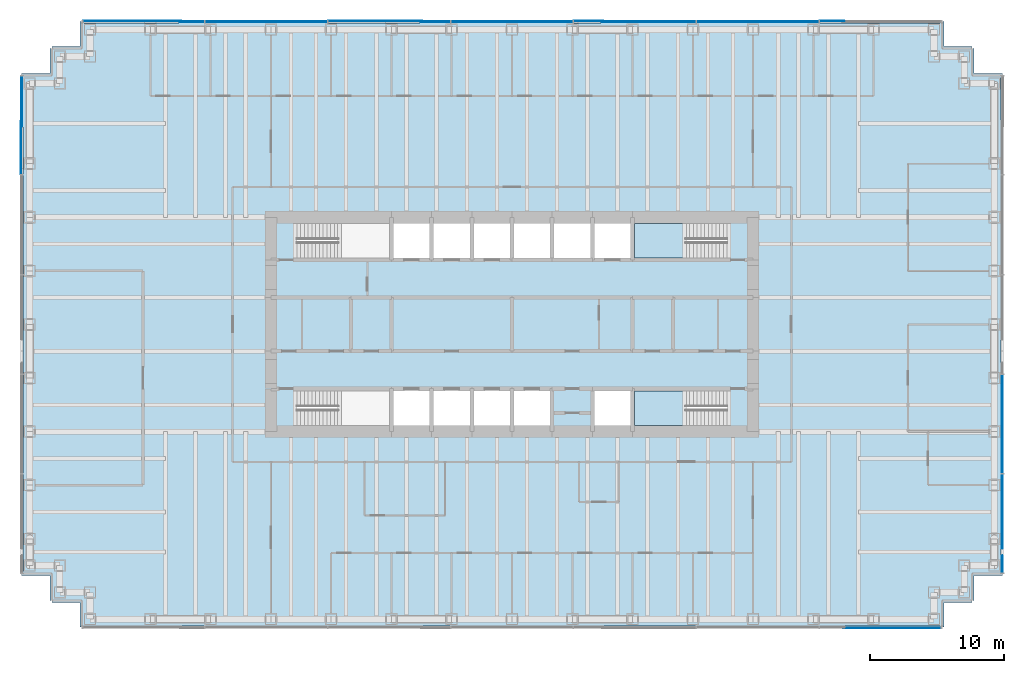
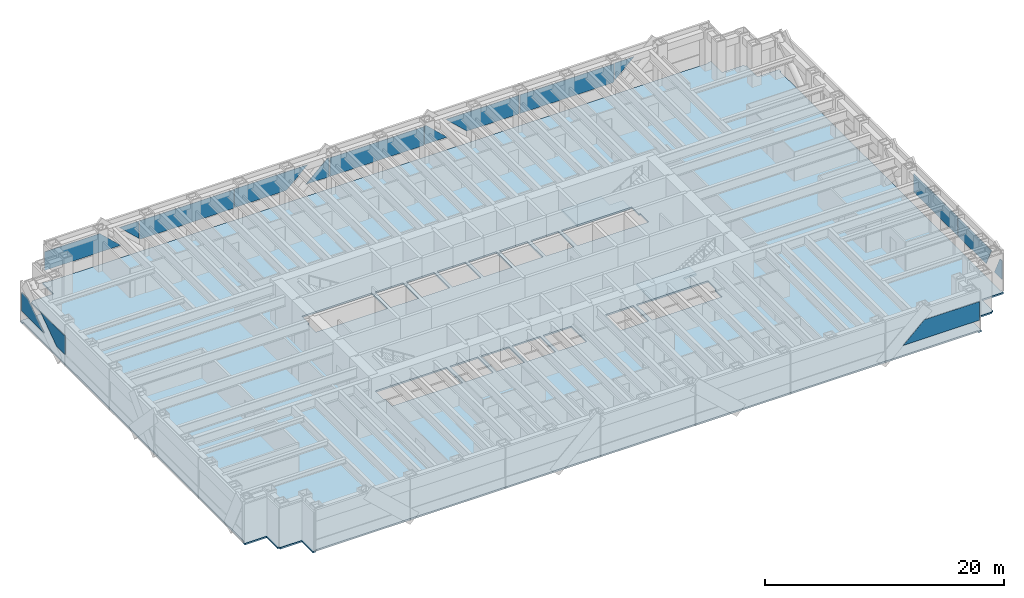
# One storey, part 9 of 16: 16 plates, 3 slabs, 6 elements without a shape of their own.
"""IFC4 building model written with IfcOpenShell, lengths in metres."""

from ifc_helpers import new_model, si_unit, direction, frame, origin, origin_2d, place, context, subcontext, project, spatial, polyline, rectangle, outline, extrude, material, layer, layer_set, type_object, element, aggregate, save


model = new_model("IFC4")

# Units and contexts
model_context = context("Model", 3, precision=1e-05, world=origin(), true_north=direction((0.0, 1.0)))
body_context = subcontext(model_context, "Body", "Model", "MODEL_VIEW")
ifc_project = project(units=[si_unit("LENGTHUNIT", "METRE"), si_unit("AREAUNIT", "SQUARE_METRE"), si_unit("VOLUMEUNIT", "CUBIC_METRE"), si_unit("PLANEANGLEUNIT", "RADIAN"), si_unit("MASSUNIT", "GRAM", prefix="KILO")], contexts=[model_context])

# Site, building, storey
site_placement = place(None, origin())
site = spatial("IfcSite", under=ifc_project, at=site_placement, CompositionType="ELEMENT")
building_placement = place(site_placement, origin())
building = spatial("IfcBuilding", under=site, at=building_placement, Name="Rheinbord Bourse Tower", CompositionType="ELEMENT")
storey_placement = place(building_placement, frame((0.0, 0.0, 176.10009765625)))
storey = spatial("IfcBuildingStorey", under=building, at=storey_placement, Name="L39", CompositionType="ELEMENT", Elevation=176.10009765625)

# Slab
ifc_material_1 = material(Name="Concrete C30/37", Category="concrete")
ifc_layer_1 = layer(ifc_material_1, 0.159912109375)
ifc_layer_set_1 = layer_set([ifc_layer_1], Name="COMPOSITE FLOOR SLAB 160")
slab_type_1 = type_object("IfcSlabType", Name="COMPOSITE FLOOR SLAB 160", PredefinedType="FLOOR", material=ifc_layer_set_1)
slab_1_placement = place(storey_placement, frame((0.0, 0.0, -0.16015625)))
element("IfcSlab", 1, at=slab_1_placement, inside=storey, type_object=slab_type_1, Name="Floor slab L39", PredefinedType="FLOOR", context=body_context, shape_type="SweptSolid", body=[
    extrude(outline(polyline([(1.64990234375, 3.39990234375), (1.5, 3.39990234375), (1.5, 5.25), (-0.60009765625, 5.25), (-0.60009765625, 5.550048828125), (-0.5, 5.550048828125), (-0.5, 42.449951171875), (-0.60009765625, 42.449951171875), (-0.60009765625, 42.75), (1.5, 42.75), (1.5, 44.60009765625), (1.64990234375, 44.60009765625), (1.64990234375, 44.75), (3.75, 44.75), (3.75, 46.60009765625), (4.050048828125, 46.60009765625), (4.050048828125, 46.5), (67.949951171875, 46.5), (67.949951171875, 46.60009765625), (68.25, 46.60009765625), (68.25, 44.75), (70.35009765625, 44.75), (70.35009765625, 44.60009765625), (70.5, 44.60009765625), (70.5, 42.75), (72.60009765625, 42.75), (72.60009765625, 42.449951171875), (72.5, 42.449951171875), (72.5, 5.550048828125), (72.60009765625, 5.550048828125), (72.60009765625, 5.25), (70.5, 5.25), (70.5, 3.39990234375), (70.35009765625, 3.39990234375), (70.35009765625, 3.25), (68.25, 3.25), (68.25, 1.39990234375), (67.949951171875, 1.39990234375), (67.949951171875, 1.5), (4.050048828125, 1.5), (4.050048828125, 1.39990234375), (3.75, 1.39990234375), (3.75, 3.25), (1.64990234375, 3.25), (1.64990234375, 3.39990234375)]), holes=[polyline([(19.949951171875, 19.050048828125), (26.85009765625, 19.050048828125), (26.85009765625, 16.449951171875), (20.10009765625, 16.449951171875), (20.10009765625, 17.64990234375), (19.949951171875, 17.64990234375), (19.949951171875, 19.050048828125)]), polyline([(26.85009765625, 31.550048828125), (26.85009765625, 28.949951171875), (19.949951171875, 28.949951171875), (19.949951171875, 30.35009765625), (20.10009765625, 30.35009765625), (20.10009765625, 31.550048828125), (26.85009765625, 31.550048828125)]), polyline([(45.14990234375, 16.449951171875), (45.14990234375, 19.050048828125), (52.050048828125, 19.050048828125), (52.050048828125, 17.64990234375), (51.89990234375, 17.64990234375), (51.89990234375, 16.449951171875), (45.14990234375, 16.449951171875)]), polyline([(52.050048828125, 28.949951171875), (45.14990234375, 28.949951171875), (45.14990234375, 31.550048828125), (51.89990234375, 31.550048828125), (51.89990234375, 30.35009765625), (52.050048828125, 30.35009765625), (52.050048828125, 28.949951171875)]), polyline([(27.14990234375, 16.449951171875), (27.14990234375, 19.050048828125), (29.85009765625, 19.050048828125), (29.85009765625, 16.449951171875), (27.14990234375, 16.449951171875)]), polyline([(27.14990234375, 28.949951171875), (27.14990234375, 31.550048828125), (29.85009765625, 31.550048828125), (29.85009765625, 28.949951171875), (27.14990234375, 28.949951171875)]), polyline([(30.14990234375, 16.449951171875), (30.14990234375, 19.050048828125), (32.85009765625, 19.050048828125), (32.85009765625, 16.449951171875), (30.14990234375, 16.449951171875)]), polyline([(30.14990234375, 28.949951171875), (30.14990234375, 31.550048828125), (32.85009765625, 31.550048828125), (32.85009765625, 28.949951171875), (30.14990234375, 28.949951171875)]), polyline([(33.14990234375, 16.449951171875), (33.14990234375, 19.050048828125), (35.85009765625, 19.050048828125), (35.85009765625, 16.449951171875), (33.14990234375, 16.449951171875)]), polyline([(33.14990234375, 28.949951171875), (33.14990234375, 31.550048828125), (35.85009765625, 31.550048828125), (35.85009765625, 28.949951171875), (33.14990234375, 28.949951171875)]), polyline([(36.14990234375, 16.449951171875), (36.14990234375, 19.050048828125), (38.85009765625, 19.050048828125), (38.85009765625, 16.449951171875), (36.14990234375, 16.449951171875)]), polyline([(36.14990234375, 28.949951171875), (36.14990234375, 31.550048828125), (38.85009765625, 31.550048828125), (38.85009765625, 28.949951171875), (36.14990234375, 28.949951171875)]), polyline([(39.14990234375, 28.949951171875), (39.14990234375, 31.550048828125), (41.85009765625, 31.550048828125), (41.85009765625, 28.949951171875), (39.14990234375, 28.949951171875)]), polyline([(42.14990234375, 16.449951171875), (42.14990234375, 19.050048828125), (44.85009765625, 19.050048828125), (44.85009765625, 16.449951171875), (42.14990234375, 16.449951171875)]), polyline([(42.14990234375, 28.949951171875), (42.14990234375, 31.550048828125), (44.85009765625, 31.550048828125), (44.85009765625, 28.949951171875), (42.14990234375, 28.949951171875)])]), origin(), (0.0, 0.0, 1.0), 0.16015625),
])

# Curtain wall, plate
ifc_material_2 = material(Name="Dark glass and black aluminium", Category="aluminium")
curtain_wall_type = type_object("IfcCurtainWallType", Name="CW5 DARK GLASS CURTAIN WALL", PredefinedType="USERDEFINED", material=ifc_material_2)
curtain_wall_1_placement = place(storey_placement, origin())
curtain_wall_1 = element("IfcCurtainWall", 2, at=curtain_wall_1_placement, inside=storey, type_object=curtain_wall_type, Name="Curtain wall CW5 S L39", ObjectType="UNITISED CURTAIN WALL", PredefinedType="USERDEFINED")
ifc_material_3 = material(Name="Dark tinted triple insulating glass", Category="glass")
ifc_layer_2 = layer(ifc_material_3, 0.050048828125)
ifc_layer_set_2 = layer_set([ifc_layer_2], Name="CW5 DARK GLASS PANEL")
plate_type = type_object("IfcPlateType", Name="CW5 DARK GLASS PANEL", PredefinedType="CURTAIN_PANEL", material=ifc_layer_set_2)
plate_1_placement = place(storey_placement, frame((68.02001953125, 1.31982421875, 3.0498046875), z_axis=(0.0, 1.0, 0.0), x_axis=(0.0, 0.0, -1.0)))
plate_1 = element("IfcPlate", 3, at=plate_1_placement, type_object=plate_type, Name="CW5 glass facet 2", PredefinedType="CURTAIN_PANEL", context=body_context, shape_type="SweptSolid", body=[
    extrude(outline(polyline([(0.0, 0.0), (1.89990234375, 0.0), (1.89990234375, 7.364990234375), (0.0, 5.330078125), (0.0, 0.0)])), origin(), (0.0, 0.0, 1.0), 0.050048828125),
])
aggregate(curtain_wall_1, [plate_1])

# Curtain wall, plates
curtain_wall_2_placement = place(storey_placement, origin())
curtain_wall_2 = element("IfcCurtainWall", 4, at=curtain_wall_2_placement, inside=storey, type_object=curtain_wall_type, Name="Curtain wall CW5 E L39", ObjectType="UNITISED CURTAIN WALL", PredefinedType="USERDEFINED")
plate_2_placement = place(storey_placement, frame((72.625, 5.47998046875, 1.14990234375), z_axis=(-1.0, 0.0, 0.0), x_axis=(0.0, 0.0, 1.0)))
plate_2 = element("IfcPlate", 5, at=plate_2_placement, type_object=plate_type, Name="CW5 glass facet 1", PredefinedType="CURTAIN_PANEL", context=body_context, shape_type="SweptSolid", body=[
    extrude(outline(polyline([(0.0, 0.0), (1.89990234375, 0.0), (1.89990234375, 0.3701171875), (0.0, 1.27490234375), (0.0, 0.0)])), origin(), (0.0, 0.0, 1.0), 0.050048828125),
])
plate_3_placement = place(storey_placement, frame((72.625, 12.800048828125, 3.0498046875), z_axis=(-1.0, 0.0, 0.0), x_axis=(0.0, 0.0, -1.0)))
plate_3 = element("IfcPlate", 6, at=plate_3_placement, type_object=plate_type, Name="CW5 glass facet 2", PredefinedType="CURTAIN_PANEL", context=body_context, shape_type="SweptSolid", body=[
    extrude(outline(polyline([(0.0, 0.0), (1.89990234375, 0.0), (1.89990234375, 4.650146484375), (0.0, 5.554931640625), (0.0, 0.0)])), origin(), (0.0, 0.0, 1.0), 0.050048828125),
])
plate_4_placement = place(storey_placement, frame((72.625, 12.8798828125, 1.14990234375), z_axis=(-1.0, 0.0, 0.0), x_axis=(0.0, 0.0, 1.0)))
plate_4 = element("IfcPlate", 7, at=plate_4_placement, type_object=plate_type, Name="CW5 glass facet 1", PredefinedType="CURTAIN_PANEL", context=body_context, shape_type="SweptSolid", body=[
    extrude(outline(polyline([(0.0, 0.0), (1.89990234375, 0.0), (1.89990234375, 7.34619140625), (1.885009765625, 7.360107421875), (0.014892578125, 7.360107421875), (0.0, 7.34619140625), (0.0, 0.0)])), origin(), (0.0, 0.0, 1.0), 0.050048828125),
])
aggregate(curtain_wall_2, [plate_2, plate_3, plate_4])

curtain_wall_3_placement = place(storey_placement, origin())
curtain_wall_3 = element("IfcCurtainWall", 8, at=curtain_wall_3_placement, inside=storey, type_object=curtain_wall_type, Name="Curtain wall CW5 N L39", ObjectType="UNITISED CURTAIN WALL", PredefinedType="USERDEFINED")
plate_5_placement = place(storey_placement, frame((36.0, 46.60009765625, 1.14990234375), z_axis=(0.0, 0.0, 1.0), x_axis=(-1.0, 0.0, 0.0)))
plate_5 = element("IfcPlate", 9, at=plate_5_placement, type_object=plate_type, Name="CW5 panel 4.1", PredefinedType="CURTAIN_PANEL", context=body_context, shape_type="SweptSolid", body=[
    extrude(rectangle(XDim=9.09130859375, YDim=0.050048828125, at=origin_2d()), origin(), (0.0, 0.0, 1.0), 1.89990234375),
])
plate_6_placement = place(storey_placement, frame((58.968994140625, 46.68017578125, 3.0498046875), z_axis=(0.0, -1.0, 0.0), x_axis=(0.0, 0.0, -1.0)))
plate_6 = element("IfcPlate", 10, at=plate_6_placement, type_object=plate_type, Name="CW5 glass facet 2", PredefinedType="CURTAIN_PANEL", context=body_context, shape_type="SweptSolid", body=[
    extrude(outline(polyline([(0.0, 0.0), (1.751953125, 0.0), (0.0, 1.8759765625), (0.0, 0.0)])), origin(), (0.0, 0.0, 1.0), 0.050048828125),
])
plate_7_placement = place(storey_placement, frame((58.888916015625, 46.625, 3.0498046875), z_axis=(0.0, -1.0, 0.0), x_axis=(-1.0, 0.0, 0.0)))
plate_7 = element("IfcPlate", 11, at=plate_7_placement, type_object=plate_type, Name="CW5 glass facet 1", PredefinedType="CURTAIN_PANEL", context=body_context, shape_type="SweptSolid", body=[
    extrude(outline(polyline([(0.0, 0.0), (9.091796875, 0.0), (9.091796875, 1.89990234375), (0.078857421875, 1.89990234375), (0.0, 1.825927734375), (0.0, 0.0)])), origin(), (0.0, 0.0, 1.0), 0.050048828125),
])
plate_8_placement = place(storey_placement, frame((49.717041015625, 46.625, 1.14990234375), z_axis=(0.0, -1.0, 0.0), x_axis=(0.0, 0.0, 1.0)))
plate_8 = element("IfcPlate", 12, at=plate_8_placement, type_object=plate_type, Name="CW5 glass facet 1", PredefinedType="CURTAIN_PANEL", context=body_context, shape_type="SweptSolid", body=[
    extrude(outline(polyline([(0.0, 0.0), (1.89990234375, 0.0), (1.89990234375, 7.06201171875), (0.0, 5.027099609375), (0.0, 0.0)])), origin(), (0.0, 0.0, 1.0), 0.050048828125),
])
plate_9_placement = place(storey_placement, frame((40.6259765625, 46.68017578125, 3.0498046875), z_axis=(0.0, -1.0, 0.0), x_axis=(0.0, 0.0, -1.0)))
plate_9 = element("IfcPlate", 13, at=plate_9_placement, type_object=plate_type, Name="CW5 glass facet 2", PredefinedType="CURTAIN_PANEL", context=body_context, shape_type="SweptSolid", body=[
    extrude(outline(polyline([(0.0, 0.0), (1.89990234375, 0.0), (1.89990234375, 2.218994140625), (0.0, 0.18408203125), (0.0, 0.0)])), origin(), (0.0, 0.0, 1.0), 0.050048828125),
])
plate_10_placement = place(storey_placement, frame((31.3740234375, 46.625, 1.14990234375), z_axis=(0.0, -1.0, 0.0), x_axis=(0.0, 0.0, 1.0)))
plate_10 = element("IfcPlate", 14, at=plate_10_placement, type_object=plate_type, Name="CW5 glass facet 1", PredefinedType="CURTAIN_PANEL", context=body_context, shape_type="SweptSolid", body=[
    extrude(outline(polyline([(0.0, 0.0), (1.89990234375, 0.0), (1.89990234375, 0.18408203125), (0.0, 2.218994140625), (0.0, 0.0)])), origin(), (0.0, 0.0, 1.0), 0.050048828125),
])
plate_11_placement = place(storey_placement, frame((22.282958984375, 46.68017578125, 3.0498046875), z_axis=(0.0, -1.0, 0.0), x_axis=(0.0, 0.0, -1.0)))
plate_11 = element("IfcPlate", 15, at=plate_11_placement, type_object=plate_type, Name="CW5 glass facet 2", PredefinedType="CURTAIN_PANEL", context=body_context, shape_type="SweptSolid", body=[
    extrude(outline(polyline([(0.0, 0.0), (1.89990234375, 0.0), (1.89990234375, 5.027099609375), (0.0, 7.06201171875), (0.0, 0.0)])), origin(), (0.0, 0.0, 1.0), 0.050048828125),
])
plate_12_placement = place(storey_placement, frame((22.202880859375, 46.625, 1.14990234375), z_axis=(0.0, -1.0, 0.0), x_axis=(0.0, 0.0, 1.0)))
plate_12 = element("IfcPlate", 16, at=plate_12_placement, type_object=plate_type, Name="CW5 glass facet 1", PredefinedType="CURTAIN_PANEL", context=body_context, shape_type="SweptSolid", body=[
    extrude(outline(polyline([(0.0, 0.0), (1.89990234375, 0.0), (1.89990234375, 9.091796875), (0.073974609375, 9.091796875), (0.0, 9.012939453125), (0.0, 0.0)])), origin(), (0.0, 0.0, 1.0), 0.050048828125),
])
plate_13_placement = place(storey_placement, frame((13.031005859375, 46.625, 3.0498046875), z_axis=(0.0, -1.0, 0.0), x_axis=(-1.0, 0.0, 0.0)))
plate_13 = element("IfcPlate", 17, at=plate_13_placement, type_object=plate_type, Name="CW5 glass facet 1", PredefinedType="CURTAIN_PANEL", context=body_context, shape_type="SweptSolid", body=[
    extrude(outline(polyline([(0.0, 0.0), (1.8759765625, 0.0), (0.0, 1.751953125), (0.0, 0.0)])), origin(), (0.0, 0.0, 1.0), 0.050048828125),
])
plate_14_placement = place(storey_placement, frame((3.97998046875, 46.68017578125, 3.0498046875), z_axis=(0.0, -1.0, 0.0), x_axis=(0.0, 0.0, -1.0)))
plate_14 = element("IfcPlate", 18, at=plate_14_placement, type_object=plate_type, Name="CW5 glass facet 2", PredefinedType="CURTAIN_PANEL", context=body_context, shape_type="SweptSolid", body=[
    extrude(outline(polyline([(0.0, 0.0), (1.89990234375, 0.0), (1.89990234375, 7.364990234375), (0.0, 5.330078125), (0.0, 0.0)])), origin(), (0.0, 0.0, 1.0), 0.050048828125),
])
aggregate(curtain_wall_3, [plate_5, plate_6, plate_7, plate_8, plate_9, plate_10, plate_11, plate_12, plate_13, plate_14])

curtain_wall_4_placement = place(storey_placement, origin())
curtain_wall_4 = element("IfcCurtainWall", 19, at=curtain_wall_4_placement, inside=storey, type_object=curtain_wall_type, Name="Curtain wall CW5 W L39", ObjectType="UNITISED CURTAIN WALL", PredefinedType="USERDEFINED")
plate_15_placement = place(storey_placement, frame((-0.625, 42.52001953125, 1.14990234375), z_axis=(1.0, 0.0, 0.0), x_axis=(0.0, 0.0, 1.0)))
plate_15 = element("IfcPlate", 20, at=plate_15_placement, type_object=plate_type, Name="CW5 glass facet 1", PredefinedType="CURTAIN_PANEL", context=body_context, shape_type="SweptSolid", body=[
    extrude(outline(polyline([(0.0, 0.0), (1.89990234375, 0.0), (1.89990234375, 1.06494140625), (0.0, 3.779052734375), (0.0, 0.0)])), origin(), (0.0, 0.0, 1.0), 0.050048828125),
])
plate_16_placement = place(storey_placement, frame((-0.68017578125, 35.199951171875, 3.0498046875), z_axis=(1.0, 0.0, 0.0), x_axis=(0.0, 0.0, -1.0)))
plate_16 = element("IfcPlate", 21, at=plate_16_placement, type_object=plate_type, Name="CW5 glass facet 2", PredefinedType="CURTAIN_PANEL", context=body_context, shape_type="SweptSolid", body=[
    extrude(outline(polyline([(0.0, 0.0), (1.89990234375, 0.0), (1.89990234375, 1.344970703125), (0.0, 4.05908203125), (0.0, 0.0)])), origin(), (0.0, 0.0, 1.0), 0.050048828125),
])
aggregate(curtain_wall_4, [plate_15, plate_16])

# Stair, slab
ifc_material_4 = material(Name="Concrete C30/37", Category="concrete")
stair_type = type_object("IfcStairType", Name="CORE STAIR HALF TURN 4200", PredefinedType="HALF_TURN_STAIR", material=ifc_material_4)
stair_1_placement = place(storey_placement, origin())
stair_1 = element("IfcStair", 22, at=stair_1_placement, inside=storey, type_object=stair_type, Name="Stair ST3 L39, type CS6", PredefinedType="HALF_TURN_STAIR")
ifc_material_5 = material(Name="Concrete C30/37", Category="concrete")
ifc_layer_3 = layer(ifc_material_5, 0.199951171875)
ifc_layer_set_3 = layer_set([ifc_layer_3], Name="STAIR LANDING 200")
slab_type_2 = type_object("IfcSlabType", Name="STAIR LANDING 200", PredefinedType="LANDING", material=ifc_layer_set_3)
slab_2_placement = place(storey_placement, frame((0.0, 0.0, 1.89990234375)))
slab_2 = element("IfcSlab", 23, at=slab_2_placement, type_object=slab_type_2, Name="Half landing ST3 L39", PredefinedType="LANDING", context=body_context, shape_type="SweptSolid", body=[
    extrude(outline(polyline([(45.14990234375, 16.449951171875), (48.969970703125, 16.449951171875), (48.969970703125, 17.85009765625), (50.251953125, 17.85009765625), (50.251953125, 19.050048828125), (45.14990234375, 19.050048828125), (45.14990234375, 16.449951171875)])), origin(), (0.0, 0.0, 1.0), 0.199951171875),
])
aggregate(stair_1, [slab_2])

stair_2_placement = place(storey_placement, origin())
stair_2 = element("IfcStair", 24, at=stair_2_placement, inside=storey, type_object=stair_type, Name="Stair ST4 L39, type CS6", PredefinedType="HALF_TURN_STAIR")
slab_3_placement = place(storey_placement, frame((0.0, 0.0, 1.89990234375)))
slab_3 = element("IfcSlab", 25, at=slab_3_placement, type_object=slab_type_2, Name="Half landing ST4 L39", PredefinedType="LANDING", context=body_context, shape_type="SweptSolid", body=[
    extrude(outline(polyline([(45.14990234375, 28.949951171875), (50.251953125, 28.949951171875), (50.251953125, 30.14990234375), (48.969970703125, 30.14990234375), (48.969970703125, 31.550048828125), (45.14990234375, 31.550048828125), (45.14990234375, 28.949951171875)])), origin(), (0.0, 0.0, 1.0), 0.199951171875),
])
aggregate(stair_2, [slab_3])

save(model, "model.ifc")
